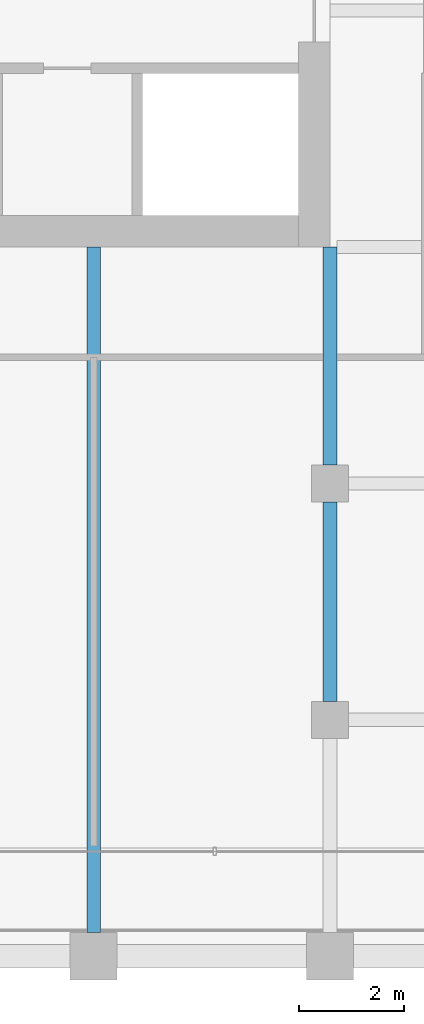
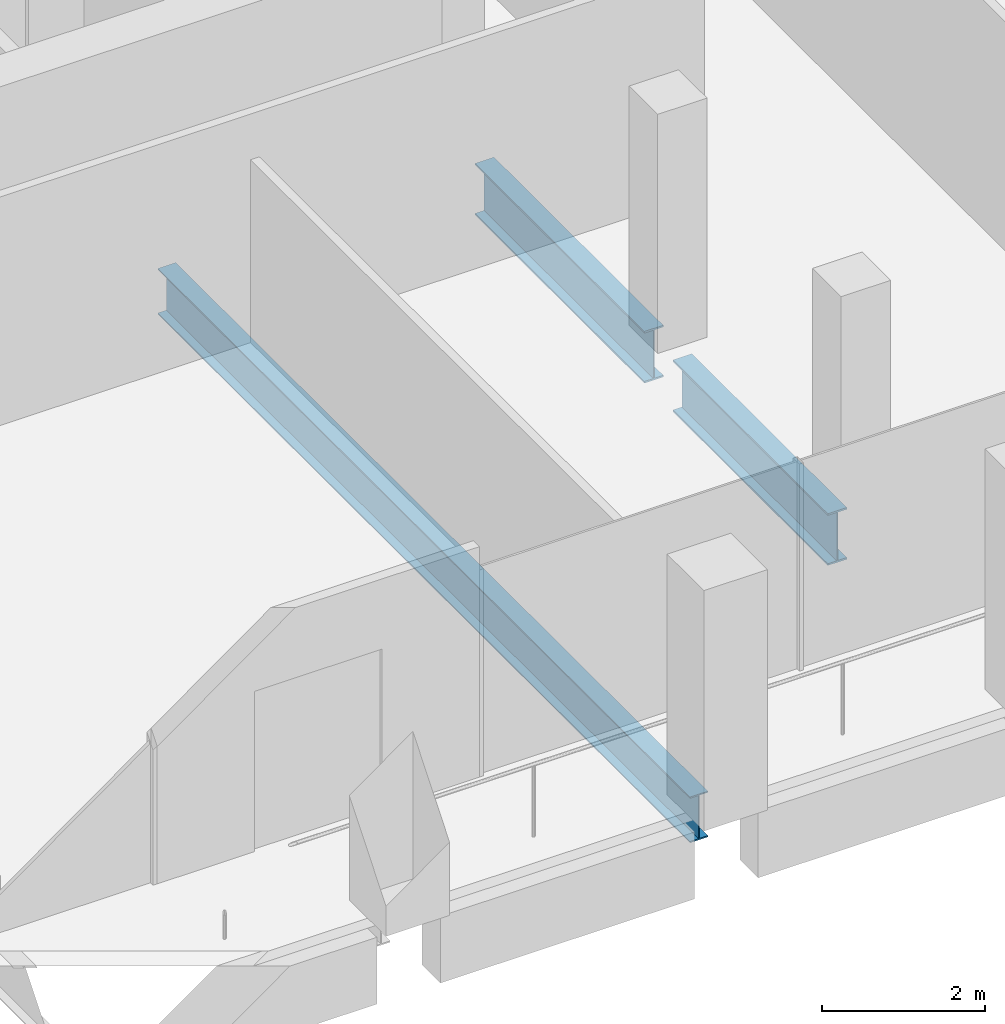
# One storey, part 10 of 40: 3 beams.
"""IFC4 building model written with IfcOpenShell, lengths in metres."""

from ifc_helpers import new_model, si_unit, direction, frame, origin, origin_2d, place, context, subcontext, project, spatial, i_section, extrude, material, material_profile, profile_set, type_object, element, save


model = new_model("IFC4")

# Units and contexts
model_context = context("Model", 3, precision=1e-05, world=origin(), true_north=direction((0.0, 1.0)))
body_context = subcontext(model_context, "Body", "Model", "MODEL_VIEW")
ifc_project = project(units=[si_unit("LENGTHUNIT", "METRE"), si_unit("AREAUNIT", "SQUARE_METRE"), si_unit("VOLUMEUNIT", "CUBIC_METRE"), si_unit("PLANEANGLEUNIT", "RADIAN"), si_unit("MASSUNIT", "GRAM", prefix="KILO")], contexts=[model_context])

# Site, building, storey
site_placement = place(None, origin())
site = spatial("IfcSite", under=ifc_project, at=site_placement, CompositionType="ELEMENT")
building_placement = place(site_placement, origin())
building = spatial("IfcBuilding", under=site, at=building_placement, Name="Altepetl Exchange Towers", CompositionType="ELEMENT")
storey_placement = place(building_placement, frame((0.0, 0.0, 161.800048828125)))
storey = spatial("IfcBuildingStorey", under=building, at=storey_placement, Name="L40", CompositionType="ELEMENT", Elevation=161.800048828125)

# Beams
ifc_material = material(Name="Steel S355", Category="steel")
ifc_material_profile_1 = material_profile(ifc_material, i_section(OverallWidth=0.25390625, OverallDepth=0.68408203125, WebThickness=0.012451171875, FlangeThickness=0.018798828125, at=origin_2d()), Name="W27X94")
ifc_profile_set_1 = profile_set([ifc_material_profile_1], Name="Steel S355")
beam_type_1 = type_object("IfcBeamType", Name="Floor beam W27X94", PredefinedType="BEAM", material=ifc_profile_set_1)
beam_1_placement = place(storey_placement, frame((54.0, 27.449951171875, -0.491943359375), z_axis=(0.0, 1.0, 0.0), x_axis=(-1.0, 0.0, 0.0)))
element("IfcBeam", 1, at=beam_1_placement, inside=storey, type_object=beam_type_1, Name="bm:A:L40:017", PredefinedType="BEAM", context=body_context, shape_type="SweptSolid", body=[
    extrude(i_section(OverallWidth=0.25390625, OverallDepth=0.68408203125, WebThickness=0.012451171875, FlangeThickness=0.018798828125, at=origin_2d()), origin(), (0.0, 0.0, 1.0), 13.050048828125),
])
ifc_material_profile_2 = material_profile(ifc_material, i_section(OverallWidth=0.26806640625, OverallDepth=0.77392578125, WebThickness=0.015380859375, FlangeThickness=0.025390625, at=origin_2d()), Name="W30X132")
ifc_profile_set_2 = profile_set([ifc_material_profile_2], Name="Steel S355")
beam_type_2 = type_object("IfcBeamType", Name="Girder W30X132", PredefinedType="BEAM", material=ifc_profile_set_2)
beam_2_placement = place(storey_placement, frame((58.5, 40.5, -0.537109375), z_axis=(0.0, -1.0, 0.0), x_axis=(1.0, 0.0, 0.0)))
element("IfcBeam", 2, at=beam_2_placement, inside=storey, type_object=beam_type_2, Name="gd:A:L40:003", PredefinedType="BEAM", context=body_context, shape_type="SweptSolid", body=[
    extrude(i_section(OverallWidth=0.26806640625, OverallDepth=0.77392578125, WebThickness=0.015380859375, FlangeThickness=0.025390625, at=origin_2d()), origin(), (0.0, 0.0, 1.0), 4.14990234375),
])
beam_3_placement = place(storey_placement, frame((58.5, 35.64990234375, -0.537109375), z_axis=(0.0, -1.0, 0.0), x_axis=(1.0, 0.0, 0.0)))
element("IfcBeam", 3, at=beam_3_placement, inside=storey, type_object=beam_type_2, Name="gd:A:L40:004", PredefinedType="BEAM", context=body_context, shape_type="SweptSolid", body=[
    extrude(i_section(OverallWidth=0.26806640625, OverallDepth=0.77392578125, WebThickness=0.015380859375, FlangeThickness=0.025390625, at=origin_2d()), origin(), (0.0, 0.0, 1.0), 3.7998046875),
])

save(model, "model.ifc")
